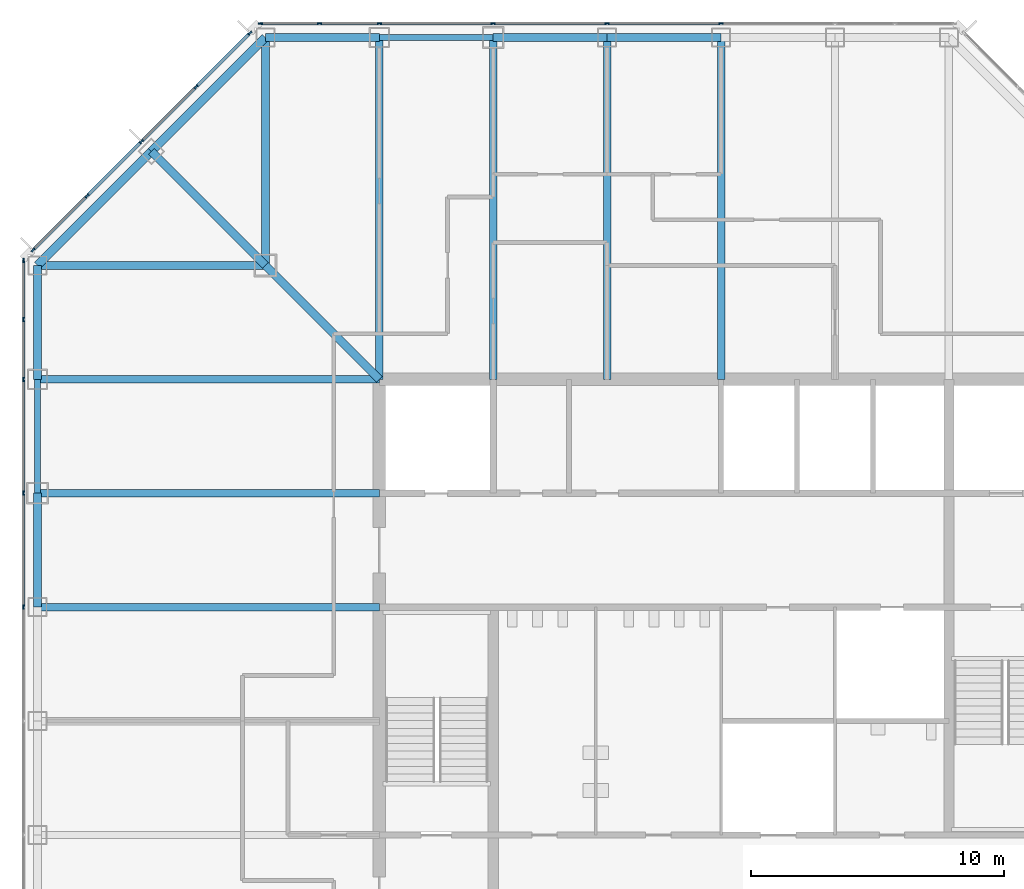
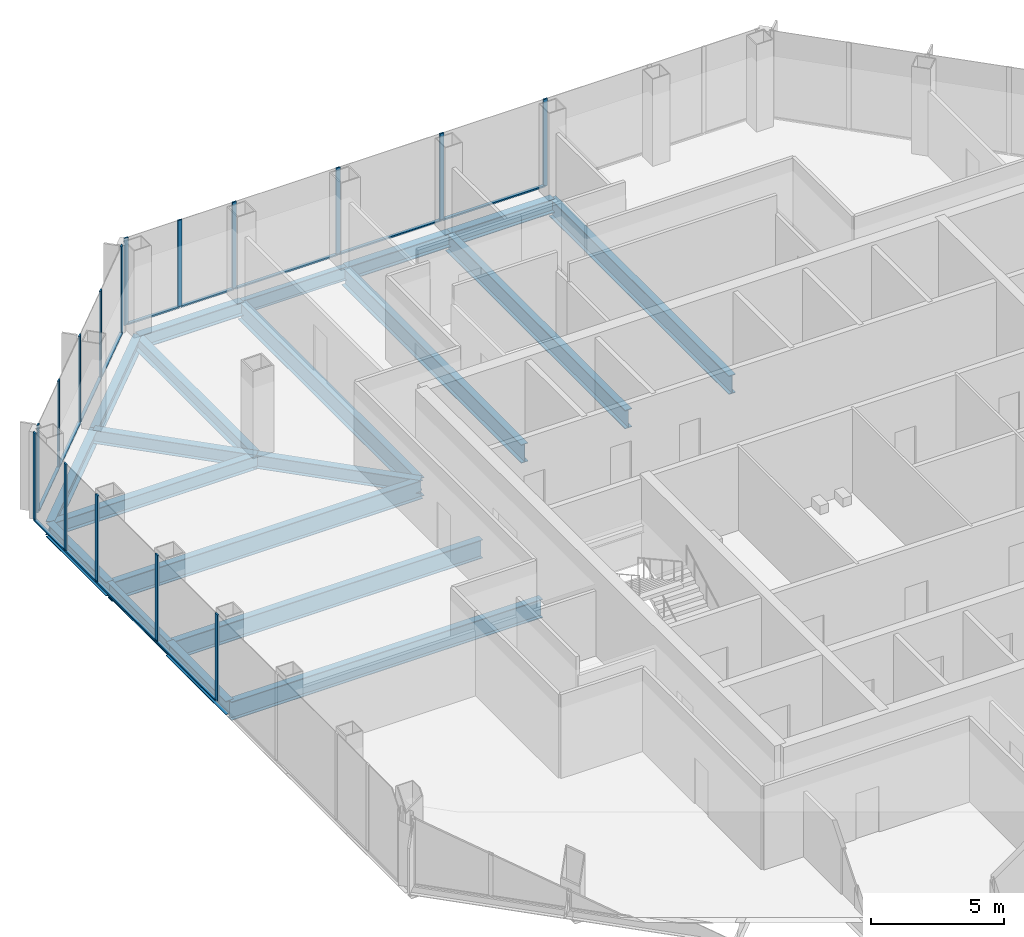
# One storey, part 5 of 13: 29 members, 20 beams, 3 elements without a shape of their own.
"""IFC4 building model written with IfcOpenShell, lengths in metres."""

from ifc_helpers import new_model, si_unit, direction, frame, origin, origin_2d, place, context, subcontext, project, spatial, rectangle, i_section, extrude, material, material_profile, profile_set, type_object, element, aggregate, save


model = new_model("IFC4")

# Units and contexts
model_context = context("Model", 3, precision=1e-05, world=origin(), true_north=direction((0.0, 1.0)))
body_context = subcontext(model_context, "Body", "Model", "MODEL_VIEW")
ifc_project = project(units=[si_unit("LENGTHUNIT", "METRE"), si_unit("AREAUNIT", "SQUARE_METRE"), si_unit("VOLUMEUNIT", "CUBIC_METRE"), si_unit("PLANEANGLEUNIT", "RADIAN"), si_unit("MASSUNIT", "GRAM", prefix="KILO")], contexts=[model_context])

# Site, building, storey
site_placement = place(None, origin())
site = spatial("IfcSite", under=ifc_project, at=site_placement, CompositionType="ELEMENT")
building_placement = place(site_placement, origin())
building = spatial("IfcBuilding", under=site, at=building_placement, Name="Corais Broadcast Tower", CompositionType="ELEMENT")
storey_placement = place(building_placement, frame((0.0, 0.0, 119.60009765625)))
storey = spatial("IfcBuildingStorey", under=building, at=storey_placement, Name="L26", CompositionType="ELEMENT", Elevation=119.60009765625)

# Beams
ifc_material_1 = material(Name="Steel ASTM A572 Grade 50", Category="steel")
ifc_material_profile_1 = material_profile(ifc_material_1, i_section(OverallWidth=0.323974609375, OverallDepth=0.611083984375, WebThickness=0.0126953125, FlangeThickness=0.01904296875, at=origin_2d()), Name="W610x155")
ifc_profile_set_1 = profile_set([ifc_material_profile_1], Name="Steel ASTM A572 Grade 50")
beam_type_1 = type_object("IfcBeamType", Name="Chamfer tie W610x155", PredefinedType="BEAM", material=ifc_profile_set_1)
beam_1_placement = place(storey_placement, frame((4.5, 49.5, -0.465576171875), z_axis=(0.707106781187, -0.707106781187, 0.0), x_axis=(0.707106781187, 0.707106781187, 0.0)))
element("IfcBeam", 1, at=beam_1_placement, inside=storey, type_object=beam_type_1, Name="B5 M/4 to L/5", PredefinedType="BEAM", context=body_context, shape_type="SweptSolid", body=[
    extrude(i_section(OverallWidth=0.323974609375, OverallDepth=0.611083984375, WebThickness=0.0126953125, FlangeThickness=0.01904296875, at=origin_2d()), origin(), (0.0, 0.0, 1.0), 6.364013671875),
])
ifc_material_2 = material(Name="Steel ASTM A572 Grade 50", Category="steel")
ifc_material_profile_2 = material_profile(ifc_material_2, i_section(OverallWidth=0.323974609375, OverallDepth=0.611083984375, WebThickness=0.0126953125, FlangeThickness=0.01904296875, at=origin_2d()), Name="W610x155")
ifc_profile_set_2 = profile_set([ifc_material_profile_2], Name="Steel ASTM A572 Grade 50")
beam_type_2 = type_object("IfcBeamType", Name="Corner diagonal W610x155", PredefinedType="BEAM", material=ifc_profile_set_2)
beam_2_placement = place(storey_placement, frame((9.0, 45.0, -0.465576171875), z_axis=(0.707106781187, -0.707106781187, 0.0), x_axis=(0.707106781187, 0.707106781187, 0.0)))
element("IfcBeam", 2, at=beam_2_placement, inside=storey, type_object=beam_type_2, Name="B6 L/5 to K/6", PredefinedType="BEAM", context=body_context, shape_type="SweptSolid", body=[
    extrude(i_section(OverallWidth=0.323974609375, OverallDepth=0.611083984375, WebThickness=0.0126953125, FlangeThickness=0.01904296875, at=origin_2d()), origin(), (0.0, 0.0, 1.0), 6.364013671875),
])
ifc_material_3 = material(Name="Steel ASTM A572 Grade 50", Category="steel")
ifc_material_profile_3 = material_profile(ifc_material_3, i_section(OverallWidth=0.323974609375, OverallDepth=0.611083984375, WebThickness=0.0126953125, FlangeThickness=0.01904296875, at=origin_2d()), Name="W610x155")
ifc_profile_set_3 = profile_set([ifc_material_profile_3], Name="Steel ASTM A572 Grade 50")
beam_type_3 = type_object("IfcBeamType", Name="Corner girder W610x155", PredefinedType="BEAM", material=ifc_profile_set_3)
for number, where, z_axis, x_axis, name in (
    (3, (0.0, 45.0, -0.465576171875), (1.0, 0.0, 0.0), (0.0, 1.0, 0.0), "B4 L/3 to L/5"),
    (4, (9.0, 54.0, -0.465576171875), (0.0, -1.0, 0.0), (1.0, 0.0, 0.0), "B4 N/5 to L/5"),
):
    element("IfcBeam", number, at=place(storey_placement, frame(where, z_axis=z_axis, x_axis=x_axis)), inside=storey, type_object=beam_type_3, Name=name, PredefinedType="BEAM", context=body_context, shape_type="SweptSolid", body=[
        extrude(i_section(OverallWidth=0.323974609375, OverallDepth=0.611083984375, WebThickness=0.0126953125, FlangeThickness=0.01904296875, at=origin_2d()), origin(), (0.0, 0.0, 1.0), 9.0),
    ])
ifc_material_4 = material(Name="Steel ASTM A572 Grade 50", Category="steel")
ifc_material_profile_4 = material_profile(ifc_material_4, i_section(OverallWidth=0.2939453125, OverallDepth=0.85107421875, WebThickness=0.01611328125, FlangeThickness=0.02685546875, at=origin_2d()), Name="W840x226")
ifc_profile_set_4 = profile_set([ifc_material_profile_4], Name="Steel ASTM A572 Grade 50")
beam_type_4 = type_object("IfcBeamType", Name="Floor beam W840x226", PredefinedType="BEAM", material=ifc_profile_set_4)
for number, where, z_axis, x_axis, name in (
    (5, (0.0, 31.5, -0.585693359375), (1.0, 0.0, 0.0), (0.0, 1.0, 0.0), "B1 H/3 to H/6"),
    (6, (0.0, 36.0, -0.585693359375), (1.0, 0.0, 0.0), (0.0, 1.0, 0.0), "B1 J/3 to J/6"),
    (7, (0.0, 40.5, -0.585693359375), (1.0, 0.0, 0.0), (0.0, 1.0, 0.0), "B1 K/3 to K/6"),
    (8, (13.5, 54.0, -0.585693359375), (0.0, -1.0, 0.0), (1.0, 0.0, 0.0), "B1 N/6 to K/6"),
    (9, (18.0, 54.0, -0.585693359375), (0.0, -1.0, 0.0), (1.0, 0.0, 0.0), "B1 N/7 to K/7"),
    (10, (22.5, 54.0, -0.585693359375), (0.0, -1.0, 0.0), (1.0, 0.0, 0.0), "B1 N/8 to K/8"),
    (11, (27.0, 54.0, -0.585693359375), (0.0, -1.0, 0.0), (1.0, 0.0, 0.0), "B1 N/9 to K/9"),
):
    element("IfcBeam", number, at=place(storey_placement, frame(where, z_axis=z_axis, x_axis=x_axis)), inside=storey, type_object=beam_type_4, Name=name, PredefinedType="BEAM", context=body_context, shape_type="SweptSolid", body=[
        extrude(i_section(OverallWidth=0.2939453125, OverallDepth=0.85107421875, WebThickness=0.01611328125, FlangeThickness=0.02685546875, at=origin_2d()), origin(), (0.0, 0.0, 1.0), 13.5),
    ])

# Curtain wall, members
ifc_material_5 = material(Name="Aluminium and glass", Category="aluminium")
curtain_wall_type = type_object("IfcCurtainWallType", Name="Unitised fritted curtain wall CW2", PredefinedType="NOTDEFINED", material=ifc_material_5)
curtain_wall_1_placement = place(storey_placement, origin())
curtain_wall_1 = element("IfcCurtainWall", 12, at=curtain_wall_1_placement, inside=storey, type_object=curtain_wall_type, Name="CW2 curtain wall L26 2", PredefinedType="NOTDEFINED")
ifc_material_6 = material(Name="Aluminium 6063-T6", Category="aluminium")
ifc_material_profile_5 = material_profile(ifc_material_6, rectangle(XDim=0.06494140625, YDim=0.179931640625, at=origin_2d()), Name="Mullion CW2 65x180")
ifc_profile_set_5 = profile_set([ifc_material_profile_5], Name="Aluminium 6063-T6")
member_type_1 = type_object("IfcMemberType", Name="Mullion CW2 65x180", PredefinedType="MULLION", material=ifc_profile_set_5)
member_1_placement = place(storey_placement, frame((-0.550048828125, 31.5, 0.0), z_axis=(0.0, 0.0, 1.0), x_axis=(-1.0, 0.0, 0.0)))
member_1 = element("IfcMember", 13, at=member_1_placement, type_object=member_type_1, Name="CW2 mullion 5", PredefinedType="MULLION", context=body_context, shape_type="SweptSolid", body=[
    extrude(rectangle(XDim=0.06494140625, YDim=0.179931640625, at=origin_2d()), origin(), (0.0, 0.0, 1.0), 4.0),
])
member_2_placement = place(storey_placement, frame((-0.550048828125, 36.0, 0.0), z_axis=(0.0, 0.0, 1.0), x_axis=(-1.0, 0.0, 0.0)))
member_2 = element("IfcMember", 14, at=member_2_placement, type_object=member_type_1, Name="CW2 mullion 6", PredefinedType="MULLION", context=body_context, shape_type="SweptSolid", body=[
    extrude(rectangle(XDim=0.06494140625, YDim=0.179931640625, at=origin_2d()), origin(), (0.0, 0.0, 1.0), 4.0),
])
member_3_placement = place(storey_placement, frame((-0.550048828125, 40.5, 0.0), z_axis=(0.0, 0.0, 1.0), x_axis=(-1.0, 0.0, 0.0)))
member_3 = element("IfcMember", 15, at=member_3_placement, type_object=member_type_1, Name="CW2 mullion 7", PredefinedType="MULLION", context=body_context, shape_type="SweptSolid", body=[
    extrude(rectangle(XDim=0.06494140625, YDim=0.179931640625, at=origin_2d()), origin(), (0.0, 0.0, 1.0), 4.0),
])
member_4_placement = place(storey_placement, frame((-0.550048828125, 42.864013671875, 0.0), z_axis=(0.0, 0.0, 1.0), x_axis=(-1.0, 0.0, 0.0)))
member_4 = element("IfcMember", 16, at=member_4_placement, type_object=member_type_1, Name="CW2 mullion 8", PredefinedType="MULLION", context=body_context, shape_type="SweptSolid", body=[
    extrude(rectangle(XDim=0.06494140625, YDim=0.179931640625, at=origin_2d()), origin(), (0.0, 0.0, 1.0), 4.0),
])
member_5_placement = place(storey_placement, frame((-0.550048828125, 45.1953125, 0.0), z_axis=(0.0, 0.0, 1.0), x_axis=(-1.0, 0.0, 0.0)))
member_5 = element("IfcMember", 17, at=member_5_placement, type_object=member_type_1, Name="CW2 mullion 9", PredefinedType="MULLION", context=body_context, shape_type="SweptSolid", body=[
    extrude(rectangle(XDim=0.06494140625, YDim=0.179931640625, at=origin_2d()), origin(), (0.0, 0.0, 1.0), 4.0),
])

curtain_wall_2_placement = place(storey_placement, origin())
curtain_wall_2 = element("IfcCurtainWall", 18, at=curtain_wall_2_placement, inside=storey, type_object=curtain_wall_type, Name="CW2 curtain wall L26 3", PredefinedType="NOTDEFINED")
member_6_placement = place(storey_placement, frame((-0.17333984375, 45.6044921875, 0.0), z_axis=(0.0, 0.0, 1.0), x_axis=(-0.707106781187, 0.707106781187, 0.0)))
member_6 = element("IfcMember", 19, at=member_6_placement, type_object=member_type_1, Name="CW2 mullion 1", PredefinedType="MULLION", context=body_context, shape_type="SweptSolid", body=[
    extrude(rectangle(XDim=0.06494140625, YDim=0.179931640625, at=origin_2d()), origin(), (0.0, 0.0, 1.0), 4.0),
])
member_7_placement = place(storey_placement, frame((1.957275390625, 47.735107421875, 0.0), z_axis=(0.0, 0.0, 1.0), x_axis=(-0.707106781187, 0.707106781187, 0.0)))
member_7 = element("IfcMember", 20, at=member_7_placement, type_object=member_type_1, Name="CW2 mullion 2", PredefinedType="MULLION", context=body_context, shape_type="SweptSolid", body=[
    extrude(rectangle(XDim=0.06494140625, YDim=0.179931640625, at=origin_2d()), origin(), (0.0, 0.0, 1.0), 4.0),
])
member_8_placement = place(storey_placement, frame((4.111083984375, 49.888916015625, 0.0), z_axis=(0.0, 0.0, 1.0), x_axis=(-0.707106781187, 0.707106781187, 0.0)))
member_8 = element("IfcMember", 21, at=member_8_placement, type_object=member_type_1, Name="CW2 mullion 3", PredefinedType="MULLION", context=body_context, shape_type="SweptSolid", body=[
    extrude(rectangle(XDim=0.06494140625, YDim=0.179931640625, at=origin_2d()), origin(), (0.0, 0.0, 1.0), 4.0),
])
member_9_placement = place(storey_placement, frame((6.264892578125, 52.042724609375, 0.0), z_axis=(0.0, 0.0, 1.0), x_axis=(-0.707106781187, 0.707106781187, 0.0)))
member_9 = element("IfcMember", 22, at=member_9_placement, type_object=member_type_1, Name="CW2 mullion 4", PredefinedType="MULLION", context=body_context, shape_type="SweptSolid", body=[
    extrude(rectangle(XDim=0.06494140625, YDim=0.179931640625, at=origin_2d()), origin(), (0.0, 0.0, 1.0), 4.0),
])
member_10_placement = place(storey_placement, frame((8.3955078125, 54.17333984375, 0.0), z_axis=(0.0, 0.0, 1.0), x_axis=(-0.707106781187, 0.707106781187, 0.0)))
member_10 = element("IfcMember", 23, at=member_10_placement, type_object=member_type_1, Name="CW2 mullion 5", PredefinedType="MULLION", context=body_context, shape_type="SweptSolid", body=[
    extrude(rectangle(XDim=0.06494140625, YDim=0.179931640625, at=origin_2d()), origin(), (0.0, 0.0, 1.0), 4.0),
])

curtain_wall_3_placement = place(storey_placement, origin())
curtain_wall_3 = element("IfcCurtainWall", 24, at=curtain_wall_3_placement, inside=storey, type_object=curtain_wall_type, Name="CW2 curtain wall L26 4", PredefinedType="NOTDEFINED")
member_11_placement = place(storey_placement, frame((8.8046875, 54.550048828125, 0.0), z_axis=(0.0, 0.0, 1.0), x_axis=(0.0, 1.0, 0.0)))
member_11 = element("IfcMember", 25, at=member_11_placement, type_object=member_type_1, Name="CW2 mullion 1", PredefinedType="MULLION", context=body_context, shape_type="SweptSolid", body=[
    extrude(rectangle(XDim=0.06494140625, YDim=0.179931640625, at=origin_2d()), origin(), (0.0, 0.0, 1.0), 4.0),
])
member_12_placement = place(storey_placement, frame((11.135986328125, 54.550048828125, 0.0), z_axis=(0.0, 0.0, 1.0), x_axis=(0.0, 1.0, 0.0)))
member_12 = element("IfcMember", 26, at=member_12_placement, type_object=member_type_1, Name="CW2 mullion 2", PredefinedType="MULLION", context=body_context, shape_type="SweptSolid", body=[
    extrude(rectangle(XDim=0.06494140625, YDim=0.179931640625, at=origin_2d()), origin(), (0.0, 0.0, 1.0), 4.0),
])
member_13_placement = place(storey_placement, frame((13.5, 54.550048828125, 0.0), z_axis=(0.0, 0.0, 1.0), x_axis=(0.0, 1.0, 0.0)))
member_13 = element("IfcMember", 27, at=member_13_placement, type_object=member_type_1, Name="CW2 mullion 3", PredefinedType="MULLION", context=body_context, shape_type="SweptSolid", body=[
    extrude(rectangle(XDim=0.06494140625, YDim=0.179931640625, at=origin_2d()), origin(), (0.0, 0.0, 1.0), 4.0),
])
member_14_placement = place(storey_placement, frame((18.0, 54.550048828125, 0.0), z_axis=(0.0, 0.0, 1.0), x_axis=(0.0, 1.0, 0.0)))
member_14 = element("IfcMember", 28, at=member_14_placement, type_object=member_type_1, Name="CW2 mullion 4", PredefinedType="MULLION", context=body_context, shape_type="SweptSolid", body=[
    extrude(rectangle(XDim=0.06494140625, YDim=0.179931640625, at=origin_2d()), origin(), (0.0, 0.0, 1.0), 4.0),
])
member_15_placement = place(storey_placement, frame((22.5, 54.550048828125, 0.0), z_axis=(0.0, 0.0, 1.0), x_axis=(0.0, 1.0, 0.0)))
member_15 = element("IfcMember", 29, at=member_15_placement, type_object=member_type_1, Name="CW2 mullion 5", PredefinedType="MULLION", context=body_context, shape_type="SweptSolid", body=[
    extrude(rectangle(XDim=0.06494140625, YDim=0.179931640625, at=origin_2d()), origin(), (0.0, 0.0, 1.0), 4.0),
])
member_16_placement = place(storey_placement, frame((27.0, 54.550048828125, 0.0), z_axis=(0.0, 0.0, 1.0), x_axis=(0.0, 1.0, 0.0)))
member_16 = element("IfcMember", 30, at=member_16_placement, type_object=member_type_1, Name="CW2 mullion 6", PredefinedType="MULLION", context=body_context, shape_type="SweptSolid", body=[
    extrude(rectangle(XDim=0.06494140625, YDim=0.179931640625, at=origin_2d()), origin(), (0.0, 0.0, 1.0), 4.0),
])

# Beams
ifc_material_7 = material(Name="Steel ASTM A572 Grade 50", Category="steel")
ifc_material_profile_6 = material_profile(ifc_material_7, i_section(OverallWidth=0.22900390625, OverallDepth=0.612060546875, WebThickness=0.011962890625, FlangeThickness=0.01953125, at=origin_2d()), Name="W610x125")
ifc_profile_set_6 = profile_set([ifc_material_profile_6], Name="Steel ASTM A572 Grade 50")
beam_type_5 = type_object("IfcBeamType", Name="Pinned spandrel W610x125", PredefinedType="BEAM", material=ifc_profile_set_6)
for number, where, z_axis, x_axis, name in (
    (31, (0.0, 40.5, -0.466064453125), (0.0, -1.0, 0.0), (1.0, 0.0, 0.0), "SB7 K/3 to J/3"),
    (32, (18.0, 54.0, -0.466064453125), (-1.0, 0.0, 0.0), (0.0, -1.0, 0.0), "SB7 N/7 to N/6"),
):
    element("IfcBeam", number, at=place(storey_placement, frame(where, z_axis=z_axis, x_axis=x_axis)), inside=storey, type_object=beam_type_5, Name=name, PredefinedType="BEAM", context=body_context, shape_type="SweptSolid", body=[
        extrude(i_section(OverallWidth=0.22900390625, OverallDepth=0.612060546875, WebThickness=0.011962890625, FlangeThickness=0.01953125, at=origin_2d()), origin(), (0.0, 0.0, 1.0), 4.5),
    ])
ifc_material_8 = material(Name="Steel ASTM A572 Grade 50", Category="steel")
ifc_material_profile_7 = material_profile(ifc_material_8, i_section(OverallWidth=0.3291015625, OverallDepth=0.635009765625, WebThickness=0.017822265625, FlangeThickness=0.031005859375, at=origin_2d()), Name="W610x241")
ifc_profile_set_7 = profile_set([ifc_material_profile_7], Name="Steel ASTM A572 Grade 50")
beam_type_6 = type_object("IfcBeamType", Name="Spandrel W610x241", PredefinedType="BEAM", material=ifc_profile_set_7)
for number, where, z_axis, x_axis, name in (
    (33, (0.0, 36.0, -0.4775390625), (0.0, -1.0, 0.0), (1.0, 0.0, 0.0), "SB1 J/3 to H/3"),
    (34, (0.0, 45.0, -0.4775390625), (0.0, -1.0, 0.0), (1.0, 0.0, 0.0), "SB1 L/3 to K/3"),
    (35, (13.5, 54.0, -0.4775390625), (-1.0, 0.0, 0.0), (0.0, -1.0, 0.0), "SB1 N/6 to N/5"),
    (36, (22.5, 54.0, -0.4775390625), (-1.0, 0.0, 0.0), (0.0, -1.0, 0.0), "SB1 N/8 to N/7"),
    (37, (27.0, 54.0, -0.4775390625), (-1.0, 0.0, 0.0), (0.0, -1.0, 0.0), "SB1 N/9 to N/8"),
):
    element("IfcBeam", number, at=place(storey_placement, frame(where, z_axis=z_axis, x_axis=x_axis)), inside=storey, type_object=beam_type_6, Name=name, PredefinedType="BEAM", context=body_context, shape_type="SweptSolid", body=[
        extrude(i_section(OverallWidth=0.3291015625, OverallDepth=0.635009765625, WebThickness=0.017822265625, FlangeThickness=0.031005859375, at=origin_2d()), origin(), (0.0, 0.0, 1.0), 4.5),
    ])
for number, where, z_axis, x_axis, name in (
    (38, (4.5, 49.5, -0.4775390625), (-0.707106781187, -0.707106781187, 0.0), (0.707106781187, -0.707106781187, 0.0), "SB1 M/4 to L/3"),
    (39, (9.0, 54.0, -0.4775390625), (-0.707106781187, -0.707106781187, 0.0), (0.707106781187, -0.707106781187, 0.0), "SB1 N/5 to M/4"),
):
    element("IfcBeam", number, at=place(storey_placement, frame(where, z_axis=z_axis, x_axis=x_axis)), inside=storey, type_object=beam_type_6, Name=name, PredefinedType="BEAM", context=body_context, shape_type="SweptSolid", body=[
        extrude(i_section(OverallWidth=0.3291015625, OverallDepth=0.635009765625, WebThickness=0.017822265625, FlangeThickness=0.031005859375, at=origin_2d()), origin(), (0.0, 0.0, 1.0), 6.364013671875),
    ])

# Member
ifc_material_9 = material(Name="Aluminium 6063-T6", Category="aluminium")
ifc_material_profile_8 = material_profile(ifc_material_9, rectangle(XDim=0.1298828125, YDim=0.06494140625, at=origin_2d()), Name="Transom CW2 65x130")
ifc_profile_set_8 = profile_set([ifc_material_profile_8], Name="Aluminium 6063-T6")
member_type_2 = type_object("IfcMemberType", Name="Transom CW2 65x130", PredefinedType="USERDEFINED", material=ifc_profile_set_8)
member_17_placement = place(storey_placement, frame((-0.550048828125, 31.532470703125, 0.032470703125), z_axis=(0.0, 1.0, 0.0), x_axis=(-1.0, 0.0, 0.0)))
member_17 = element("IfcMember", 40, at=member_17_placement, type_object=member_type_2, Name="CW2 transom 5.1", ObjectType="TRANSOM", PredefinedType="USERDEFINED", context=body_context, shape_type="SweptSolid", body=[
    extrude(rectangle(XDim=0.1298828125, YDim=0.06494140625, at=origin_2d()), origin(), (0.0, 0.0, 1.0), 4.43505859375),
])

member_18_placement = place(storey_placement, frame((-0.550048828125, 36.032470703125, 0.032470703125), z_axis=(0.0, 1.0, 0.0), x_axis=(-1.0, 0.0, 0.0)))
member_18 = element("IfcMember", 41, at=member_18_placement, type_object=member_type_2, Name="CW2 transom 6.1", ObjectType="TRANSOM", PredefinedType="USERDEFINED", context=body_context, shape_type="SweptSolid", body=[
    extrude(rectangle(XDim=0.1298828125, YDim=0.06494140625, at=origin_2d()), origin(), (0.0, 0.0, 1.0), 4.43505859375),
])

member_19_placement = place(storey_placement, frame((-0.550048828125, 40.532470703125, 0.032470703125), z_axis=(0.0, 1.0, 0.0), x_axis=(-1.0, 0.0, 0.0)))
member_19 = element("IfcMember", 42, at=member_19_placement, type_object=member_type_2, Name="CW2 transom 7.1", ObjectType="TRANSOM", PredefinedType="USERDEFINED", context=body_context, shape_type="SweptSolid", body=[
    extrude(rectangle(XDim=0.1298828125, YDim=0.06494140625, at=origin_2d()), origin(), (0.0, 0.0, 1.0), 2.298828125),
])

member_20_placement = place(storey_placement, frame((-0.550048828125, 42.896484375, 0.032470703125), z_axis=(0.0, 1.0, 0.0), x_axis=(-1.0, 0.0, 0.0)))
member_20 = element("IfcMember", 43, at=member_20_placement, type_object=member_type_2, Name="CW2 transom 8.1", ObjectType="TRANSOM", PredefinedType="USERDEFINED", context=body_context, shape_type="SweptSolid", body=[
    extrude(rectangle(XDim=0.1298828125, YDim=0.06494140625, at=origin_2d()), origin(), (0.0, 0.0, 1.0), 2.266357421875),
])

aggregate(curtain_wall_1, [member_1, member_2, member_3, member_4, member_5, member_17, member_18, member_19, member_20])

member_21_placement = place(storey_placement, frame((-0.150390625, 45.62744140625, 0.032470703125), z_axis=(0.707106781187, 0.707106781187, 0.0), x_axis=(-0.707106781187, 0.707106781187, 0.0)))
member_21 = element("IfcMember", 44, at=member_21_placement, type_object=member_type_2, Name="CW2 transom 1.1", ObjectType="TRANSOM", PredefinedType="USERDEFINED", context=body_context, shape_type="SweptSolid", body=[
    extrude(rectangle(XDim=0.1298828125, YDim=0.06494140625, at=origin_2d()), origin(), (0.0, 0.0, 1.0), 2.9482421875),
])

member_22_placement = place(storey_placement, frame((1.980224609375, 47.758056640625, 0.032470703125), z_axis=(0.707106781187, 0.707106781187, 0.0), x_axis=(-0.707106781187, 0.707106781187, 0.0)))
member_22 = element("IfcMember", 45, at=member_22_placement, type_object=member_type_2, Name="CW2 transom 2.1", ObjectType="TRANSOM", PredefinedType="USERDEFINED", context=body_context, shape_type="SweptSolid", body=[
    extrude(rectangle(XDim=0.1298828125, YDim=0.06494140625, at=origin_2d()), origin(), (0.0, 0.0, 1.0), 2.98095703125),
])

member_23_placement = place(storey_placement, frame((4.134033203125, 49.911865234375, 0.032470703125), z_axis=(0.707106781187, 0.707106781187, 0.0), x_axis=(-0.707106781187, 0.707106781187, 0.0)))
member_23 = element("IfcMember", 46, at=member_23_placement, type_object=member_type_2, Name="CW2 transom 3.1", ObjectType="TRANSOM", PredefinedType="USERDEFINED", context=body_context, shape_type="SweptSolid", body=[
    extrude(rectangle(XDim=0.1298828125, YDim=0.06494140625, at=origin_2d()), origin(), (0.0, 0.0, 1.0), 2.98095703125),
])

member_24_placement = place(storey_placement, frame((6.287841796875, 52.065673828125, 0.032470703125), z_axis=(0.707106781187, 0.707106781187, 0.0), x_axis=(-0.707106781187, 0.707106781187, 0.0)))
member_24 = element("IfcMember", 47, at=member_24_placement, type_object=member_type_2, Name="CW2 transom 4.1", ObjectType="TRANSOM", PredefinedType="USERDEFINED", context=body_context, shape_type="SweptSolid", body=[
    extrude(rectangle(XDim=0.1298828125, YDim=0.06494140625, at=origin_2d()), origin(), (0.0, 0.0, 1.0), 2.9482421875),
])

aggregate(curtain_wall_2, [member_6, member_7, member_8, member_9, member_10, member_21, member_22, member_23, member_24])

member_25_placement = place(storey_placement, frame((8.837158203125, 54.550048828125, 0.032470703125), z_axis=(1.0, 0.0, 0.0), x_axis=(0.0, 1.0, 0.0)))
member_25 = element("IfcMember", 48, at=member_25_placement, type_object=member_type_2, Name="CW2 transom 1.1", ObjectType="TRANSOM", PredefinedType="USERDEFINED", context=body_context, shape_type="SweptSolid", body=[
    extrude(rectangle(XDim=0.1298828125, YDim=0.06494140625, at=origin_2d()), origin(), (0.0, 0.0, 1.0), 2.266357421875),
])

member_26_placement = place(storey_placement, frame((11.168701171875, 54.550048828125, 0.032470703125), z_axis=(1.0, 0.0, 0.0), x_axis=(0.0, 1.0, 0.0)))
member_26 = element("IfcMember", 49, at=member_26_placement, type_object=member_type_2, Name="CW2 transom 2.1", ObjectType="TRANSOM", PredefinedType="USERDEFINED", context=body_context, shape_type="SweptSolid", body=[
    extrude(rectangle(XDim=0.1298828125, YDim=0.06494140625, at=origin_2d()), origin(), (0.0, 0.0, 1.0), 2.298828125),
])

member_27_placement = place(storey_placement, frame((13.532470703125, 54.550048828125, 0.032470703125), z_axis=(1.0, 0.0, 0.0), x_axis=(0.0, 1.0, 0.0)))
member_27 = element("IfcMember", 50, at=member_27_placement, type_object=member_type_2, Name="CW2 transom 3.1", ObjectType="TRANSOM", PredefinedType="USERDEFINED", context=body_context, shape_type="SweptSolid", body=[
    extrude(rectangle(XDim=0.1298828125, YDim=0.06494140625, at=origin_2d()), origin(), (0.0, 0.0, 1.0), 4.43505859375),
])

member_28_placement = place(storey_placement, frame((18.032470703125, 54.550048828125, 0.032470703125), z_axis=(1.0, 0.0, 0.0), x_axis=(0.0, 1.0, 0.0)))
member_28 = element("IfcMember", 51, at=member_28_placement, type_object=member_type_2, Name="CW2 transom 4.1", ObjectType="TRANSOM", PredefinedType="USERDEFINED", context=body_context, shape_type="SweptSolid", body=[
    extrude(rectangle(XDim=0.1298828125, YDim=0.06494140625, at=origin_2d()), origin(), (0.0, 0.0, 1.0), 4.43505859375),
])

member_29_placement = place(storey_placement, frame((22.532470703125, 54.550048828125, 0.032470703125), z_axis=(1.0, 0.0, 0.0), x_axis=(0.0, 1.0, 0.0)))
member_29 = element("IfcMember", 52, at=member_29_placement, type_object=member_type_2, Name="CW2 transom 5.1", ObjectType="TRANSOM", PredefinedType="USERDEFINED", context=body_context, shape_type="SweptSolid", body=[
    extrude(rectangle(XDim=0.1298828125, YDim=0.06494140625, at=origin_2d()), origin(), (0.0, 0.0, 1.0), 4.43505859375),
])

aggregate(curtain_wall_3, [member_11, member_12, member_13, member_14, member_15, member_16, member_25, member_26, member_27, member_28, member_29])

save(model, "model.ifc")
